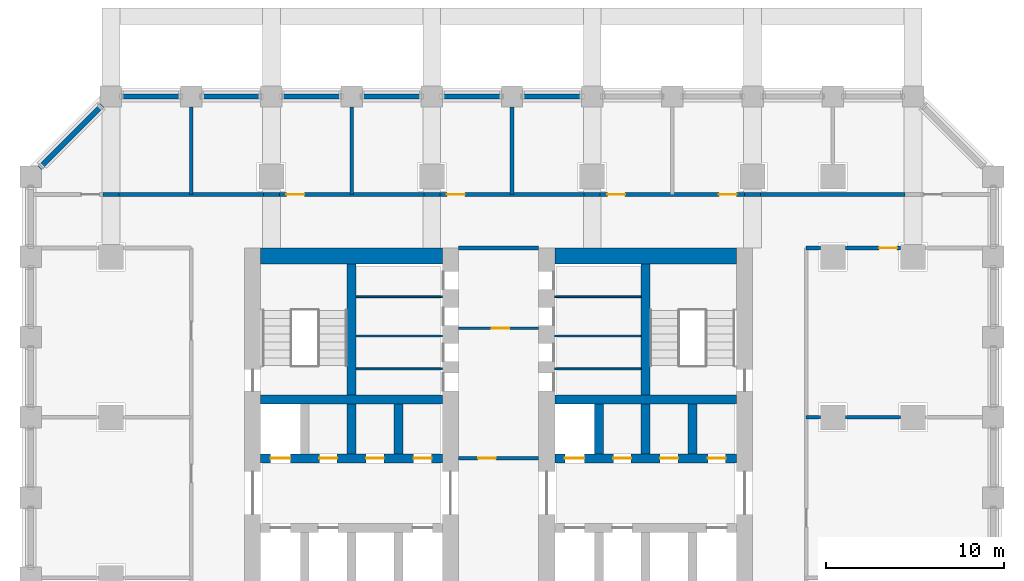
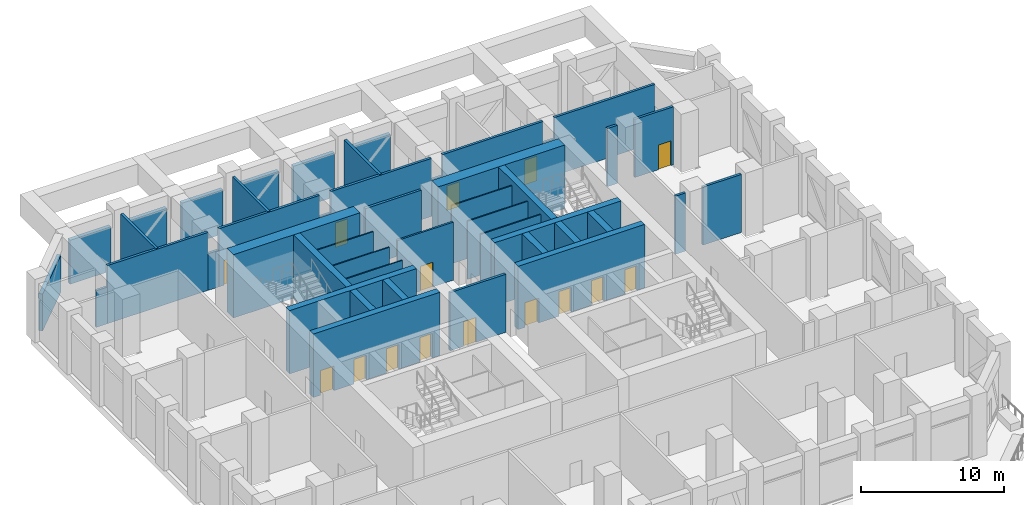
# One storey, part 6 of 20: 46 walls, 15 doors, 15 openings.
"""IFC4 building model written with IfcOpenShell, lengths in metres."""

from ifc_helpers import new_model, si_unit, direction, frame, frame_2d, origin, place, context, subcontext, project, spatial, rectangle, extrude, material, layer, layer_set, type_object, element, fill, save


model = new_model("IFC4")

# Units and contexts
model_context = context("Model", 3, precision=1e-05, world=origin(), true_north=direction((0.0, 1.0)))
body_context = subcontext(model_context, "Body", "Model", "MODEL_VIEW")
ifc_project = project(units=[si_unit("LENGTHUNIT", "METRE"), si_unit("AREAUNIT", "SQUARE_METRE"), si_unit("VOLUMEUNIT", "CUBIC_METRE"), si_unit("PLANEANGLEUNIT", "RADIAN"), si_unit("MASSUNIT", "GRAM", prefix="KILO")], contexts=[model_context])

# Site, building, storey
site_placement = place(None, origin())
site = spatial("IfcSite", under=ifc_project, at=site_placement, CompositionType="ELEMENT")
building_placement = place(site_placement, origin())
building = spatial("IfcBuilding", under=site, at=building_placement, Name="Corbel Stack Research Tower", CompositionType="ELEMENT")
storey_placement = place(building_placement, frame((0.0, 0.0, 76.60009765625)))
storey = spatial("IfcBuildingStorey", under=building, at=storey_placement, Name="L17", CompositionType="ELEMENT", Elevation=76.60009765625)

# Wall, openings, doors
ifc_material_1 = material(Name="Concrete C70/85", Category="concrete")
ifc_layer_1 = layer(ifc_material_1, 0.5)
ifc_layer_set_1 = layer_set([ifc_layer_1], Name="Concrete C70/85")
wall_type_1 = type_object("IfcWallType", Name="CW-500-70", PredefinedType="SHEAR", material=ifc_layer_set_1)
wall_1_placement = place(storey_placement, frame((-9.60009765625, 6.699951171875, 0.0), z_axis=(0.0, 0.0, 1.0), x_axis=(1.0, 0.0, 0.0)))
wall_1 = element("IfcWall", 1, at=wall_1_placement, inside=storey, type_object=wall_type_1, Name="West core wall, lobby north L17", PredefinedType="SHEAR", context=body_context, shape_type="SweptSolid", body=[
    extrude(rectangle(XDim=10.2001953125, YDim=0.5, at=frame_2d((5.10009765625, 0.0))), origin(), (0.0, 0.0, 1.0), 5.39990234375),
])
opening_1_placement = place(wall_1_placement, frame((0.5625, 0.0, 0.0)))
opening_1 = element("IfcOpeningElement", 2, at=opening_1_placement, cuts=wall_1, Name="Opening LD-LR2", PredefinedType="OPENING", context=body_context, shape_type="SweptSolid", body=[
    extrude(rectangle(XDim=1.10009765625, YDim=2.10009765625, at=frame_2d((0.550048828125, 1.050048828125))), frame((0.0, 0.260009765625, 0.0), z_axis=(0.0, -1.0, 0.0), x_axis=(1.0, 0.0, 0.0)), (0.0, 0.0, 1.0), 0.52001953125),
])
opening_2_placement = place(wall_1_placement, frame((3.28759765625, 0.0, 0.0)))
opening_2 = element("IfcOpeningElement", 3, at=opening_2_placement, cuts=wall_1, Name="Opening CR-W66-N2", PredefinedType="OPENING", context=body_context, shape_type="SweptSolid", body=[
    extrude(rectangle(XDim=1.0, YDim=2.10009765625, at=frame_2d((0.5, 1.050048828125))), frame((0.0, 0.260009765625, 0.0), z_axis=(0.0, -1.0, 0.0), x_axis=(1.0, 0.0, 0.0)), (0.0, 0.0, 1.0), 0.52001953125),
])
opening_3_placement = place(wall_1_placement, frame((5.91259765625, 0.0, 0.0)))
opening_3 = element("IfcOpeningElement", 4, at=opening_3_placement, cuts=wall_1, Name="Opening CR-W66-N3", PredefinedType="OPENING", context=body_context, shape_type="SweptSolid", body=[
    extrude(rectangle(XDim=1.0, YDim=2.10009765625, at=frame_2d((0.5, 1.050048828125))), frame((0.0, 0.260009765625, 0.0), z_axis=(0.0, -1.0, 0.0), x_axis=(1.0, 0.0, 0.0)), (0.0, 0.0, 1.0), 0.52001953125),
])
opening_4_placement = place(wall_1_placement, frame((8.58740234375, 0.0, 0.0)))
opening_4 = element("IfcOpeningElement", 5, at=opening_4_placement, cuts=wall_1, Name="Opening CR-W66-N4", PredefinedType="OPENING", context=body_context, shape_type="SweptSolid", body=[
    extrude(rectangle(XDim=1.0, YDim=2.10009765625, at=frame_2d((0.5, 1.050048828125))), frame((0.0, 0.260009765625, 0.0), z_axis=(0.0, -1.0, 0.0), x_axis=(1.0, 0.0, 0.0)), (0.0, 0.0, 1.0), 0.52001953125),
])
ifc_material_2 = material(Name="Stainless steel landing door", Category="steel")
door_type_1 = type_object("IfcDoorType", Name="Lift landing door 1100 x 2100", OperationType="DOUBLE_DOOR_SLIDING", PredefinedType="DOOR", material=ifc_material_2)
door_1_placement = place(opening_1_placement, origin())
door_1 = element("IfcDoor", 6, at=door_1_placement, inside=storey, type_object=door_type_1, Name="Landing door LR2", OperationType="DOUBLE_DOOR_SLIDING", OverallHeight=2.10009765625, OverallWidth=1.10009765625, PredefinedType="DOOR", context=body_context, shape_type="SweptSolid", body=[
    extrude(rectangle(XDim=1.10009765625, YDim=2.10009765625, at=frame_2d((0.550048828125, 1.050048828125))), frame((0.0, 0.02490234375, 0.0), z_axis=(0.0, -1.0, 0.0), x_axis=(1.0, 0.0, 0.0)), (0.0, 0.0, 1.0), 0.050048828125),
])
fill(opening_1, door_1)
ifc_material_3 = material(Name="Painted steel door", Category="steel")
door_type_2 = type_object("IfcDoorType", Name="Service door 1000 x 2100 FD60 left hand", OperationType="SINGLE_SWING_LEFT", PredefinedType="DOOR", material=ifc_material_3)
door_2_placement = place(opening_3_placement, origin())
door_2 = element("IfcDoor", 7, at=door_2_placement, inside=storey, type_object=door_type_2, Name="Staff WC door W core", OperationType="SINGLE_SWING_LEFT", OverallHeight=2.10009765625, OverallWidth=1.0, PredefinedType="DOOR", context=body_context, shape_type="SweptSolid", body=[
    extrude(rectangle(XDim=1.0, YDim=2.10009765625, at=frame_2d((0.5, 1.050048828125))), frame((0.0, 0.02490234375, 0.0), z_axis=(0.0, -1.0, 0.0), x_axis=(1.0, 0.0, 0.0)), (0.0, 0.0, 1.0), 0.050048828125),
])
fill(opening_3, door_2)
ifc_material_4 = material(Name="Painted steel door", Category="steel")
door_type_3 = type_object("IfcDoorType", Name="Service door 1000 x 2100 FD60 right hand", OperationType="SINGLE_SWING_RIGHT", PredefinedType="DOOR", material=ifc_material_4)
door_3_placement = place(opening_2_placement, origin())
door_3 = element("IfcDoor", 8, at=door_3_placement, inside=storey, type_object=door_type_3, Name="Pantry door W core", OperationType="SINGLE_SWING_RIGHT", OverallHeight=2.10009765625, OverallWidth=1.0, PredefinedType="DOOR", context=body_context, shape_type="SweptSolid", body=[
    extrude(rectangle(XDim=1.0, YDim=2.10009765625, at=frame_2d((0.5, 1.050048828125))), frame((0.0, 0.02490234375, 0.0), z_axis=(0.0, -1.0, 0.0), x_axis=(1.0, 0.0, 0.0)), (0.0, 0.0, 1.0), 0.050048828125),
])
fill(opening_2, door_3)
door_4_placement = place(opening_4_placement, origin())
door_4 = element("IfcDoor", 9, at=door_4_placement, inside=storey, type_object=door_type_3, Name="Laboratory consumables store door W core", OperationType="SINGLE_SWING_RIGHT", OverallHeight=2.10009765625, OverallWidth=1.0, PredefinedType="DOOR", context=body_context, shape_type="SweptSolid", body=[
    extrude(rectangle(XDim=1.0, YDim=2.10009765625, at=frame_2d((0.5, 1.050048828125))), frame((0.0, 0.02490234375, 0.0), z_axis=(0.0, -1.0, 0.0), x_axis=(1.0, 0.0, 0.0)), (0.0, 0.0, 1.0), 0.050048828125),
])
fill(opening_4, door_4)

# Walls
wall_2_placement = place(storey_placement, frame((-9.60009765625, 10.0, 0.0), z_axis=(0.0, 0.0, 1.0), x_axis=(1.0, 0.0, 0.0)))
element("IfcWall", 10, at=wall_2_placement, inside=storey, type_object=wall_type_1, Name="West core wall, north row back L17", PredefinedType="SHEAR", context=body_context, shape_type="SweptSolid", body=[
    extrude(rectangle(XDim=10.2001953125, YDim=0.5, at=frame_2d((5.10009765625, 0.0))), origin(), (0.0, 0.0, 1.0), 5.39990234375),
])
for number, where, z_axis, x_axis, name in (
    (11, (-4.5, 6.949951171875, 0.0), (0.0, 0.0, 1.0), (0.0, 1.0, 0.0), "West core wall, north shaft 2 L17"),
    (12, (-1.875, 6.949951171875, 0.0), (0.0, 0.0, 1.0), (0.0, 1.0, 0.0), "West core wall, north shaft 3 L17"),
):
    element("IfcWall", number, at=place(storey_placement, frame(where, z_axis=z_axis, x_axis=x_axis)), inside=storey, type_object=wall_type_1, Name=name, PredefinedType="SHEAR", context=body_context, shape_type="SweptSolid", body=[
        extrude(rectangle(XDim=2.800048828125, YDim=0.5, at=frame_2d((1.39990234375, 0.0))), origin(), (0.0, 0.0, 1.0), 5.39990234375),
    ])
wall_3_placement = place(storey_placement, frame((-4.5, 10.25, 0.0), z_axis=(0.0, 0.0, 1.0), x_axis=(0.0, 1.0, 0.0)))
element("IfcWall", 13, at=wall_3_placement, inside=storey, type_object=wall_type_1, Name="West core wall, north stair and riser L17", PredefinedType="SHEAR", context=body_context, shape_type="SweptSolid", body=[
    extrude(rectangle(XDim=7.35009765625, YDim=0.5, at=frame_2d((3.675048828125, 0.0))), origin(), (0.0, 0.0, 1.0), 5.39990234375),
])

# Wall, openings, doors
wall_4_placement = place(storey_placement, frame((6.89990234375, 6.699951171875, 0.0), z_axis=(0.0, 0.0, 1.0), x_axis=(1.0, 0.0, 0.0)))
wall_4 = element("IfcWall", 14, at=wall_4_placement, inside=storey, type_object=wall_type_1, Name="East core wall, lobby north L17", PredefinedType="SHEAR", context=body_context, shape_type="SweptSolid", body=[
    extrude(rectangle(XDim=10.2001953125, YDim=0.5, at=frame_2d((5.10009765625, 0.0))), origin(), (0.0, 0.0, 1.0), 5.39990234375),
])
opening_5_placement = place(wall_4_placement, frame((0.5625, 0.0, 0.0)))
opening_5 = element("IfcOpeningElement", 15, at=opening_5_placement, cuts=wall_4, Name="Opening LD-LR4", PredefinedType="OPENING", context=body_context, shape_type="SweptSolid", body=[
    extrude(rectangle(XDim=1.10009765625, YDim=2.10009765625, at=frame_2d((0.550048828125, 1.050048828125))), frame((0.0, 0.260009765625, 0.0), z_axis=(0.0, -1.0, 0.0), x_axis=(1.0, 0.0, 0.0)), (0.0, 0.0, 1.0), 0.52001953125),
])
opening_6_placement = place(wall_4_placement, frame((3.28759765625, 0.0, 0.0)))
opening_6 = element("IfcOpeningElement", 16, at=opening_6_placement, cuts=wall_4, Name="Opening CR-E66-N2", PredefinedType="OPENING", context=body_context, shape_type="SweptSolid", body=[
    extrude(rectangle(XDim=1.0, YDim=2.10009765625, at=frame_2d((0.5, 1.050048828125))), frame((0.0, 0.260009765625, 0.0), z_axis=(0.0, -1.0, 0.0), x_axis=(1.0, 0.0, 0.0)), (0.0, 0.0, 1.0), 0.52001953125),
])
opening_7_placement = place(wall_4_placement, frame((5.91259765625, 0.0, 0.0)))
opening_7 = element("IfcOpeningElement", 17, at=opening_7_placement, cuts=wall_4, Name="Opening CR-E66-N3", PredefinedType="OPENING", context=body_context, shape_type="SweptSolid", body=[
    extrude(rectangle(XDim=1.0, YDim=2.10009765625, at=frame_2d((0.5, 1.050048828125))), frame((0.0, 0.260009765625, 0.0), z_axis=(0.0, -1.0, 0.0), x_axis=(1.0, 0.0, 0.0)), (0.0, 0.0, 1.0), 0.52001953125),
])
opening_8_placement = place(wall_4_placement, frame((8.58740234375, 0.0, 0.0)))
opening_8 = element("IfcOpeningElement", 18, at=opening_8_placement, cuts=wall_4, Name="Opening CR-E66-N4", PredefinedType="OPENING", context=body_context, shape_type="SweptSolid", body=[
    extrude(rectangle(XDim=1.0, YDim=2.10009765625, at=frame_2d((0.5, 1.050048828125))), frame((0.0, 0.260009765625, 0.0), z_axis=(0.0, -1.0, 0.0), x_axis=(1.0, 0.0, 0.0)), (0.0, 0.0, 1.0), 0.52001953125),
])
door_5_placement = place(opening_5_placement, origin())
door_5 = element("IfcDoor", 19, at=door_5_placement, inside=storey, type_object=door_type_1, Name="Landing door LR4", OperationType="DOUBLE_DOOR_SLIDING", OverallHeight=2.10009765625, OverallWidth=1.10009765625, PredefinedType="DOOR", context=body_context, shape_type="SweptSolid", body=[
    extrude(rectangle(XDim=1.10009765625, YDim=2.10009765625, at=frame_2d((0.550048828125, 1.050048828125))), frame((0.0, 0.02490234375, 0.0), z_axis=(0.0, -1.0, 0.0), x_axis=(1.0, 0.0, 0.0)), (0.0, 0.0, 1.0), 0.050048828125),
])
fill(opening_5, door_5)
door_6_placement = place(opening_7_placement, origin())
door_6 = element("IfcDoor", 20, at=door_6_placement, inside=storey, type_object=door_type_2, Name="Records store door E core", OperationType="SINGLE_SWING_LEFT", OverallHeight=2.10009765625, OverallWidth=1.0, PredefinedType="DOOR", context=body_context, shape_type="SweptSolid", body=[
    extrude(rectangle(XDim=1.0, YDim=2.10009765625, at=frame_2d((0.5, 1.050048828125))), frame((0.0, 0.02490234375, 0.0), z_axis=(0.0, -1.0, 0.0), x_axis=(1.0, 0.0, 0.0)), (0.0, 0.0, 1.0), 0.050048828125),
])
fill(opening_7, door_6)
door_7_placement = place(opening_6_placement, origin())
door_7 = element("IfcDoor", 21, at=door_7_placement, inside=storey, type_object=door_type_3, Name="Copy and supply store door E core", OperationType="SINGLE_SWING_RIGHT", OverallHeight=2.10009765625, OverallWidth=1.0, PredefinedType="DOOR", context=body_context, shape_type="SweptSolid", body=[
    extrude(rectangle(XDim=1.0, YDim=2.10009765625, at=frame_2d((0.5, 1.050048828125))), frame((0.0, 0.02490234375, 0.0), z_axis=(0.0, -1.0, 0.0), x_axis=(1.0, 0.0, 0.0)), (0.0, 0.0, 1.0), 0.050048828125),
])
fill(opening_6, door_7)
door_8_placement = place(opening_8_placement, origin())
door_8 = element("IfcDoor", 22, at=door_8_placement, inside=storey, type_object=door_type_3, Name="Electrical switch room door E core", OperationType="SINGLE_SWING_RIGHT", OverallHeight=2.10009765625, OverallWidth=1.0, PredefinedType="DOOR", context=body_context, shape_type="SweptSolid", body=[
    extrude(rectangle(XDim=1.0, YDim=2.10009765625, at=frame_2d((0.5, 1.050048828125))), frame((0.0, 0.02490234375, 0.0), z_axis=(0.0, -1.0, 0.0), x_axis=(1.0, 0.0, 0.0)), (0.0, 0.0, 1.0), 0.050048828125),
])
fill(opening_8, door_8)

# Walls
wall_5_placement = place(storey_placement, frame((6.89990234375, 10.0, 0.0), z_axis=(0.0, 0.0, 1.0), x_axis=(1.0, 0.0, 0.0)))
element("IfcWall", 23, at=wall_5_placement, inside=storey, type_object=wall_type_1, Name="East core wall, north row back L17", PredefinedType="SHEAR", context=body_context, shape_type="SweptSolid", body=[
    extrude(rectangle(XDim=10.2001953125, YDim=0.5, at=frame_2d((5.10009765625, 0.0))), origin(), (0.0, 0.0, 1.0), 5.39990234375),
])
for number, where, z_axis, x_axis, name in (
    (24, (9.375, 6.949951171875, 0.0), (0.0, 0.0, 1.0), (0.0, 1.0, 0.0), "East core wall, north shaft 1 L17"),
    (25, (12.0, 6.949951171875, 0.0), (0.0, 0.0, 1.0), (0.0, 1.0, 0.0), "East core wall, north shaft 2 L17"),
    (26, (14.625, 6.949951171875, 0.0), (0.0, 0.0, 1.0), (0.0, 1.0, 0.0), "East core wall, north shaft 3 L17"),
):
    element("IfcWall", number, at=place(storey_placement, frame(where, z_axis=z_axis, x_axis=x_axis)), inside=storey, type_object=wall_type_1, Name=name, PredefinedType="SHEAR", context=body_context, shape_type="SweptSolid", body=[
        extrude(rectangle(XDim=2.800048828125, YDim=0.5, at=frame_2d((1.39990234375, 0.0))), origin(), (0.0, 0.0, 1.0), 5.39990234375),
    ])
wall_6_placement = place(storey_placement, frame((12.0, 10.25, 0.0), z_axis=(0.0, 0.0, 1.0), x_axis=(0.0, 1.0, 0.0)))
element("IfcWall", 27, at=wall_6_placement, inside=storey, type_object=wall_type_1, Name="East core wall, north stair and riser L17", PredefinedType="SHEAR", context=body_context, shape_type="SweptSolid", body=[
    extrude(rectangle(XDim=7.35009765625, YDim=0.5, at=frame_2d((3.675048828125, 0.0))), origin(), (0.0, 0.0, 1.0), 5.39990234375),
])
ifc_material_5 = material(Name="Concrete C70/85", Category="concrete")
ifc_layer_2 = layer(ifc_material_5, 0.89990234375)
ifc_layer_set_2 = layer_set([ifc_layer_2], Name="Concrete C70/85")
wall_type_2 = type_object("IfcWallType", Name="CW-900-70", PredefinedType="SHEAR", material=ifc_layer_set_2)
for number, where, z_axis, x_axis, name in (
    (28, (-9.60009765625, 18.050048828125, 0.0), (0.0, 0.0, 1.0), (1.0, 0.0, 0.0), "West core wall, north end L17"),
    (29, (6.89990234375, 18.050048828125, 0.0), (0.0, 0.0, 1.0), (1.0, 0.0, 0.0), "East core wall, north end L17"),
):
    element("IfcWall", number, at=place(storey_placement, frame(where, z_axis=z_axis, x_axis=x_axis)), inside=storey, type_object=wall_type_2, Name=name, PredefinedType="SHEAR", context=body_context, shape_type="SweptSolid", body=[
        extrude(rectangle(XDim=10.2001953125, YDim=0.89990234375, at=frame_2d((5.10009765625, 0.0))), origin(), (0.0, 0.0, 1.0), 5.39990234375),
    ])
ifc_material_6 = material(Name="Gypsum board")
ifc_layer_3 = layer(ifc_material_6, 0.10009765625)
ifc_layer_set_3 = layer_set([ifc_layer_3], Name="Gypsum board")
wall_type_3 = type_object("IfcWallType", Name="Core partition 100", PredefinedType="PARTITIONING", material=ifc_layer_set_3)
for number, where, z_axis, x_axis, name in (
    (30, (-4.25, 11.719970703125, 0.0), (0.0, 0.0, 1.0), (1.0, 0.0, 0.0), "Core partition W"),
    (31, (-4.25, 13.5576171875, 0.0), (0.0, 0.0, 1.0), (1.0, 0.0, 0.0), "Core partition W"),
    (32, (-4.25, 15.762451171875, 0.0), (0.0, 0.0, 1.0), (1.0, 0.0, 0.0), "Core partition W"),
    (33, (6.89990234375, 11.719970703125, 0.0), (0.0, 0.0, 1.0), (1.0, 0.0, 0.0), "Core partition E"),
    (34, (6.89990234375, 13.5576171875, 0.0), (0.0, 0.0, 1.0), (1.0, 0.0, 0.0), "Core partition E"),
    (35, (6.89990234375, 15.762451171875, 0.0), (0.0, 0.0, 1.0), (1.0, 0.0, 0.0), "Core partition E"),
):
    element("IfcWall", number, at=place(storey_placement, frame(where, z_axis=z_axis, x_axis=x_axis)), inside=storey, type_object=wall_type_3, Name=name, PredefinedType="PARTITIONING", context=body_context, shape_type="SweptSolid", body=[
        extrude(rectangle(XDim=4.85009765625, YDim=0.10009765625, at=frame_2d((2.425048828125, 0.0))), origin(), (0.0, 0.0, 1.0), 4.949951171875),
    ])
ifc_material_7 = material(Name="Fire-rated gypsum board partition on steel studs", Category="steel")
ifc_layer_4 = layer(ifc_material_7, 0.199951171875)
ifc_layer_set_4 = layer_set([ifc_layer_4], Name="Fire-rated gypsum board partition on steel studs")
wall_type_4 = type_object("IfcWallType", Name="Fire-rated partition 200 EI 60", PredefinedType="PARTITIONING", material=ifc_layer_set_4)
for number, where, z_axis, x_axis, name in (
    (36, (-13.5, 21.5, 0.0), (0.0, 0.0, 1.0), (0.0, 1.0, 0.0), "Partition L17-003"),
    (37, (-4.5, 21.5, 0.0), (0.0, 0.0, 1.0), (0.0, 1.0, 0.0), "Partition L17-005"),
    (38, (4.5, 21.5, 0.0), (0.0, 0.0, 1.0), (0.0, 1.0, 0.0), "Partition L17-007"),
):
    element("IfcWall", number, at=place(storey_placement, frame(where, z_axis=z_axis, x_axis=x_axis)), inside=storey, type_object=wall_type_4, Name=name, PredefinedType="PARTITIONING", context=body_context, shape_type="SweptSolid", body=[
        extrude(rectangle(XDim=4.89990234375, YDim=0.199951171875, at=frame_2d((2.449951171875, 0.0))), origin(), (0.0, 0.0, 1.0), 4.949951171875),
    ])

# Wall, opening, door
wall_7_placement = place(storey_placement, frame((1.5, 6.699951171875, 0.0), z_axis=(0.0, 0.0, 1.0), x_axis=(1.0, 0.0, 0.0)))
wall_7 = element("IfcWall", 39, at=wall_7_placement, inside=storey, type_object=wall_type_4, Name="Partition L17-026", PredefinedType="PARTITIONING", context=body_context, shape_type="SweptSolid", body=[
    extrude(rectangle(XDim=4.5, YDim=0.199951171875, at=frame_2d((2.25, 0.0))), origin(), (0.0, 0.0, 1.0), 4.949951171875),
])
opening_9_placement = place(wall_7_placement, frame((1.10009765625, 0.0, 0.0)))
opening_9 = element("IfcOpeningElement", 40, at=opening_9_placement, cuts=wall_7, Name="Opening PLANTL17-012", PredefinedType="OPENING", context=body_context, shape_type="SweptSolid", body=[
    extrude(rectangle(XDim=1.0, YDim=2.10009765625, at=frame_2d((0.5, 1.050048828125))), frame((0.0, 0.10986328125, 0.0), z_axis=(0.0, -1.0, 0.0), x_axis=(1.0, 0.0, 0.0)), (0.0, 0.0, 1.0), 0.219970703125),
])
ifc_material_8 = material(Name="Painted steel fire door", Category="steel")
door_type_4 = type_object("IfcDoorType", Name="Fire door FD30S 1000 x 2100", OperationType="NOTDEFINED", PredefinedType="DOOR", material=ifc_material_8)
door_9_placement = place(opening_9_placement, origin())
door_9 = element("IfcDoor", 41, at=door_9_placement, inside=storey, type_object=door_type_4, Name="Door PLANTL17-012", OperationType="SINGLE_SWING_LEFT", OverallHeight=2.10009765625, OverallWidth=1.0, PredefinedType="DOOR", context=body_context, shape_type="SweptSolid", body=[
    extrude(rectangle(XDim=1.0, YDim=2.10009765625, at=frame_2d((0.5, 1.050048828125))), frame((0.0, 0.02490234375, 0.0), z_axis=(0.0, -1.0, 0.0), x_axis=(1.0, 0.0, 0.0)), (0.0, 0.0, 1.0), 0.050048828125),
])
fill(opening_9, door_9)

# Walls
wall_8_placement = place(storey_placement, frame((21.0, 9.0, 0.0), z_axis=(0.0, 0.0, 1.0), x_axis=(1.0, 0.0, 0.0)))
element("IfcWall", 42, at=wall_8_placement, inside=storey, type_object=wall_type_4, Name="Partition L17-029", PredefinedType="PARTITIONING", context=body_context, shape_type="SweptSolid", body=[
    extrude(rectangle(XDim=0.800048828125, YDim=0.199951171875, at=frame_2d((0.39990234375, 0.0))), origin(), (0.0, 0.0, 1.0), 4.949951171875),
])
wall_9_placement = place(storey_placement, frame((23.199951171875, 9.0, 0.0), z_axis=(0.0, 0.0, 1.0), x_axis=(1.0, 0.0, 0.0)))
element("IfcWall", 43, at=wall_9_placement, inside=storey, type_object=wall_type_4, Name="Partition L17-030", PredefinedType="PARTITIONING", context=body_context, shape_type="SweptSolid", body=[
    extrude(rectangle(XDim=3.10009765625, YDim=0.199951171875, at=frame_2d((1.550048828125, 0.0))), origin(), (0.0, 0.0, 1.0), 4.949951171875),
])
wall_10_placement = place(storey_placement, frame((1.5, 18.5, 0.0), z_axis=(0.0, 0.0, 1.0), x_axis=(1.0, 0.0, 0.0)))
element("IfcWall", 44, at=wall_10_placement, inside=storey, type_object=wall_type_4, Name="Partition L17-035", PredefinedType="PARTITIONING", context=body_context, shape_type="SweptSolid", body=[
    extrude(rectangle(XDim=4.5, YDim=0.199951171875, at=frame_2d((2.25, 0.0))), origin(), (0.0, 0.0, 1.0), 4.949951171875),
])
wall_11_placement = place(storey_placement, frame((21.0, 18.5, 0.0), z_axis=(0.0, 0.0, 1.0), x_axis=(1.0, 0.0, 0.0)))
element("IfcWall", 45, at=wall_11_placement, inside=storey, type_object=wall_type_4, Name="Partition L17-036", PredefinedType="PARTITIONING", context=body_context, shape_type="SweptSolid", body=[
    extrude(rectangle(XDim=0.800048828125, YDim=0.199951171875, at=frame_2d((0.39990234375, 0.0))), origin(), (0.0, 0.0, 1.0), 4.949951171875),
])

# Wall, opening, door
wall_12_placement = place(storey_placement, frame((26.300048828125, 18.5, 0.0), z_axis=(0.0, 0.0, 1.0), x_axis=(-1.0, 0.0, 0.0)))
wall_12 = element("IfcWall", 46, at=wall_12_placement, inside=storey, type_object=wall_type_4, Name="Partition L17-037", PredefinedType="PARTITIONING", context=body_context, shape_type="SweptSolid", body=[
    extrude(rectangle(XDim=3.10009765625, YDim=0.199951171875, at=frame_2d((1.550048828125, 0.0))), origin(), (0.0, 0.0, 1.0), 4.949951171875),
])
opening_10_placement = place(wall_12_placement, frame((0.199951171875, 0.0, 0.0)))
opening_10 = element("IfcOpeningElement", 47, at=opening_10_placement, cuts=wall_12, Name="Opening PLANTL17-014", PredefinedType="OPENING", context=body_context, shape_type="SweptSolid", body=[
    extrude(rectangle(XDim=1.0, YDim=2.10009765625, at=frame_2d((0.5, 1.050048828125))), frame((0.0, 0.10986328125, 0.0), z_axis=(0.0, -1.0, 0.0), x_axis=(1.0, 0.0, 0.0)), (0.0, 0.0, 1.0), 0.219970703125),
])
door_10_placement = place(opening_10_placement, origin())
door_10 = element("IfcDoor", 48, at=door_10_placement, inside=storey, type_object=door_type_4, Name="Door PLANTL17-014", OperationType="SINGLE_SWING_LEFT", OverallHeight=2.10009765625, OverallWidth=1.0, PredefinedType="DOOR", context=body_context, shape_type="SweptSolid", body=[
    extrude(rectangle(XDim=1.0, YDim=2.10009765625, at=frame_2d((0.5, 1.050048828125))), frame((0.0, 0.02490234375, 0.0), z_axis=(0.0, -1.0, 0.0), x_axis=(1.0, 0.0, 0.0)), (0.0, 0.0, 1.0), 0.050048828125),
])
fill(opening_10, door_10)

# Walls
wall_13_placement = place(storey_placement, frame((-18.449951171875, 21.5, 0.0), z_axis=(0.0, 0.0, 1.0), x_axis=(1.0, 0.0, 0.0)))
element("IfcWall", 49, at=wall_13_placement, inside=storey, type_object=wall_type_4, Name="Partition L17-040", PredefinedType="PARTITIONING", context=body_context, shape_type="SweptSolid", body=[
    extrude(rectangle(XDim=0.89990234375, YDim=0.199951171875, at=frame_2d((0.449951171875, 0.0))), origin(), (0.0, 0.0, 1.0), 3.119873046875),
])
wall_14_placement = place(storey_placement, frame((-17.550048828125, 21.5, 0.0), z_axis=(0.0, 0.0, 1.0), x_axis=(1.0, 0.0, 0.0)))
element("IfcWall", 50, at=wall_14_placement, inside=storey, type_object=wall_type_4, Name="Partition L17-041", PredefinedType="PARTITIONING", context=body_context, shape_type="SweptSolid", body=[
    extrude(rectangle(XDim=8.10009765625, YDim=0.199951171875, at=frame_2d((4.050048828125, 0.0))), origin(), (0.0, 0.0, 1.0), 4.949951171875),
])
wall_15_placement = place(storey_placement, frame((-9.449951171875, 21.5, 0.0), z_axis=(0.0, 0.0, 1.0), x_axis=(1.0, 0.0, 0.0)))
element("IfcWall", 51, at=wall_15_placement, inside=storey, type_object=wall_type_4, Name="Partition L17-042", PredefinedType="PARTITIONING", context=body_context, shape_type="SweptSolid", body=[
    extrude(rectangle(XDim=0.89990234375, YDim=0.199951171875, at=frame_2d((0.449951171875, 0.0))), origin(), (0.0, 0.0, 1.0), 3.119873046875),
])

# Wall, opening, door
wall_16_placement = place(storey_placement, frame((-8.550048828125, 21.5, 0.0), z_axis=(0.0, 0.0, 1.0), x_axis=(1.0, 0.0, 0.0)))
wall_16 = element("IfcWall", 52, at=wall_16_placement, inside=storey, type_object=wall_type_4, Name="Partition L17-043", PredefinedType="PARTITIONING", context=body_context, shape_type="SweptSolid", body=[
    extrude(rectangle(XDim=8.10009765625, YDim=0.199951171875, at=frame_2d((4.050048828125, 0.0))), origin(), (0.0, 0.0, 1.0), 4.949951171875),
])
opening_11_placement = place(wall_16_placement, frame((0.39990234375, 0.0, 0.0)))
opening_11 = element("IfcOpeningElement", 53, at=opening_11_placement, cuts=wall_16, Name="Opening PLANTL17-017", PredefinedType="OPENING", context=body_context, shape_type="SweptSolid", body=[
    extrude(rectangle(XDim=1.0, YDim=2.10009765625, at=frame_2d((0.5, 1.050048828125))), frame((0.0, 0.10986328125, 0.0), z_axis=(0.0, -1.0, 0.0), x_axis=(1.0, 0.0, 0.0)), (0.0, 0.0, 1.0), 0.219970703125),
])
door_11_placement = place(opening_11_placement, origin())
door_11 = element("IfcDoor", 54, at=door_11_placement, inside=storey, type_object=door_type_4, Name="Door PLANTL17-017", OperationType="SINGLE_SWING_LEFT", OverallHeight=2.10009765625, OverallWidth=1.0, PredefinedType="DOOR", context=body_context, shape_type="SweptSolid", body=[
    extrude(rectangle(XDim=1.0, YDim=2.10009765625, at=frame_2d((0.5, 1.050048828125))), frame((0.0, 0.02490234375, 0.0), z_axis=(0.0, -1.0, 0.0), x_axis=(1.0, 0.0, 0.0)), (0.0, 0.0, 1.0), 0.050048828125),
])
fill(opening_11, door_11)

# Wall
wall_17_placement = place(storey_placement, frame((-0.449951171875, 21.5, 0.0), z_axis=(0.0, 0.0, 1.0), x_axis=(1.0, 0.0, 0.0)))
element("IfcWall", 55, at=wall_17_placement, inside=storey, type_object=wall_type_4, Name="Partition L17-044", PredefinedType="PARTITIONING", context=body_context, shape_type="SweptSolid", body=[
    extrude(rectangle(XDim=0.89990234375, YDim=0.199951171875, at=frame_2d((0.449951171875, 0.0))), origin(), (0.0, 0.0, 1.0), 3.119873046875),
])

# Wall, opening, door
wall_18_placement = place(storey_placement, frame((0.449951171875, 21.5, 0.0), z_axis=(0.0, 0.0, 1.0), x_axis=(1.0, 0.0, 0.0)))
wall_18 = element("IfcWall", 56, at=wall_18_placement, inside=storey, type_object=wall_type_4, Name="Partition L17-045", PredefinedType="PARTITIONING", context=body_context, shape_type="SweptSolid", body=[
    extrude(rectangle(XDim=8.10009765625, YDim=0.199951171875, at=frame_2d((4.050048828125, 0.0))), origin(), (0.0, 0.0, 1.0), 4.949951171875),
])
opening_12_placement = place(wall_18_placement, frame((0.39990234375, 0.0, 0.0)))
opening_12 = element("IfcOpeningElement", 57, at=opening_12_placement, cuts=wall_18, Name="Opening PLANTL17-018", PredefinedType="OPENING", context=body_context, shape_type="SweptSolid", body=[
    extrude(rectangle(XDim=1.0, YDim=2.10009765625, at=frame_2d((0.5, 1.050048828125))), frame((0.0, 0.10986328125, 0.0), z_axis=(0.0, -1.0, 0.0), x_axis=(1.0, 0.0, 0.0)), (0.0, 0.0, 1.0), 0.219970703125),
])
door_12_placement = place(opening_12_placement, origin())
door_12 = element("IfcDoor", 58, at=door_12_placement, inside=storey, type_object=door_type_4, Name="Door PLANTL17-018", OperationType="SINGLE_SWING_LEFT", OverallHeight=2.10009765625, OverallWidth=1.0, PredefinedType="DOOR", context=body_context, shape_type="SweptSolid", body=[
    extrude(rectangle(XDim=1.0, YDim=2.10009765625, at=frame_2d((0.5, 1.050048828125))), frame((0.0, 0.02490234375, 0.0), z_axis=(0.0, -1.0, 0.0), x_axis=(1.0, 0.0, 0.0)), (0.0, 0.0, 1.0), 0.050048828125),
])
fill(opening_12, door_12)

# Wall
wall_19_placement = place(storey_placement, frame((8.550048828125, 21.5, 0.0), z_axis=(0.0, 0.0, 1.0), x_axis=(1.0, 0.0, 0.0)))
element("IfcWall", 59, at=wall_19_placement, inside=storey, type_object=wall_type_4, Name="Partition L17-046", PredefinedType="PARTITIONING", context=body_context, shape_type="SweptSolid", body=[
    extrude(rectangle(XDim=0.89990234375, YDim=0.199951171875, at=frame_2d((0.449951171875, 0.0))), origin(), (0.0, 0.0, 1.0), 3.119873046875),
])

# Wall, openings, doors
wall_20_placement = place(storey_placement, frame((9.449951171875, 21.5, 0.0), z_axis=(0.0, 0.0, 1.0), x_axis=(1.0, 0.0, 0.0)))
wall_20 = element("IfcWall", 60, at=wall_20_placement, inside=storey, type_object=wall_type_4, Name="Partition L17-047", PredefinedType="PARTITIONING", context=body_context, shape_type="SweptSolid", body=[
    extrude(rectangle(XDim=8.10009765625, YDim=0.199951171875, at=frame_2d((4.050048828125, 0.0))), origin(), (0.0, 0.0, 1.0), 4.949951171875),
])
opening_13_placement = place(wall_20_placement, frame((0.39990234375, 0.0, 0.0)))
opening_13 = element("IfcOpeningElement", 61, at=opening_13_placement, cuts=wall_20, Name="Opening PLANTL17-019", PredefinedType="OPENING", context=body_context, shape_type="SweptSolid", body=[
    extrude(rectangle(XDim=1.0, YDim=2.10009765625, at=frame_2d((0.5, 1.050048828125))), frame((0.0, 0.10986328125, 0.0), z_axis=(0.0, -1.0, 0.0), x_axis=(1.0, 0.0, 0.0)), (0.0, 0.0, 1.0), 0.219970703125),
])
opening_14_placement = place(wall_20_placement, frame((6.64990234375, 0.0, 0.0)))
opening_14 = element("IfcOpeningElement", 62, at=opening_14_placement, cuts=wall_20, Name="Opening PLANTL17-020", PredefinedType="OPENING", context=body_context, shape_type="SweptSolid", body=[
    extrude(rectangle(XDim=1.0, YDim=2.10009765625, at=frame_2d((0.5, 1.050048828125))), frame((0.0, 0.10986328125, 0.0), z_axis=(0.0, -1.0, 0.0), x_axis=(1.0, 0.0, 0.0)), (0.0, 0.0, 1.0), 0.219970703125),
])
door_13_placement = place(opening_13_placement, origin())
door_13 = element("IfcDoor", 63, at=door_13_placement, inside=storey, type_object=door_type_4, Name="Door PLANTL17-019", OperationType="SINGLE_SWING_LEFT", OverallHeight=2.10009765625, OverallWidth=1.0, PredefinedType="DOOR", context=body_context, shape_type="SweptSolid", body=[
    extrude(rectangle(XDim=1.0, YDim=2.10009765625, at=frame_2d((0.5, 1.050048828125))), frame((0.0, 0.02490234375, 0.0), z_axis=(0.0, -1.0, 0.0), x_axis=(1.0, 0.0, 0.0)), (0.0, 0.0, 1.0), 0.050048828125),
])
fill(opening_13, door_13)
door_14_placement = place(opening_14_placement, origin())
door_14 = element("IfcDoor", 64, at=door_14_placement, inside=storey, type_object=door_type_4, Name="Door PLANTL17-020", OperationType="SINGLE_SWING_RIGHT", OverallHeight=2.10009765625, OverallWidth=1.0, PredefinedType="DOOR", context=body_context, shape_type="SweptSolid", body=[
    extrude(rectangle(XDim=1.0, YDim=2.10009765625, at=frame_2d((0.5, 1.050048828125))), frame((0.0, 0.02490234375, 0.0), z_axis=(0.0, -1.0, 0.0), x_axis=(1.0, 0.0, 0.0)), (0.0, 0.0, 1.0), 0.050048828125),
])
fill(opening_14, door_14)

# Walls
wall_21_placement = place(storey_placement, frame((17.550048828125, 21.5, 0.0), z_axis=(0.0, 0.0, 1.0), x_axis=(1.0, 0.0, 0.0)))
element("IfcWall", 65, at=wall_21_placement, inside=storey, type_object=wall_type_4, Name="Partition L17-048", PredefinedType="PARTITIONING", context=body_context, shape_type="SweptSolid", body=[
    extrude(rectangle(XDim=0.89990234375, YDim=0.199951171875, at=frame_2d((0.449951171875, 0.0))), origin(), (0.0, 0.0, 1.0), 3.119873046875),
])
wall_22_placement = place(storey_placement, frame((18.449951171875, 21.5, 0.0), z_axis=(0.0, 0.0, 1.0), x_axis=(1.0, 0.0, 0.0)))
element("IfcWall", 66, at=wall_22_placement, inside=storey, type_object=wall_type_4, Name="Partition L17-049", PredefinedType="PARTITIONING", context=body_context, shape_type="SweptSolid", body=[
    extrude(rectangle(XDim=8.10009765625, YDim=0.199951171875, at=frame_2d((4.050048828125, 0.0))), origin(), (0.0, 0.0, 1.0), 4.949951171875),
])

# Wall, opening, door
ifc_material_9 = material(Name="Gypsum board partition on steel studs", Category="steel")
ifc_layer_5 = layer(ifc_material_9, 0.14990234375)
ifc_layer_set_5 = layer_set([ifc_layer_5], Name="Gypsum board partition on steel studs")
wall_type_5 = type_object("IfcWallType", Name="Partition 150", PredefinedType="PARTITIONING", material=ifc_layer_set_5)
wall_23_placement = place(storey_placement, frame((1.5, 14.0, 0.0), z_axis=(0.0, 0.0, 1.0), x_axis=(1.0, 0.0, 0.0)))
wall_23 = element("IfcWall", 67, at=wall_23_placement, inside=storey, type_object=wall_type_5, Name="Partition L17-032", PredefinedType="PARTITIONING", context=body_context, shape_type="SweptSolid", body=[
    extrude(rectangle(XDim=4.5, YDim=0.14990234375, at=frame_2d((2.25, 0.0))), origin(), (0.0, 0.0, 1.0), 4.949951171875),
])
opening_15_placement = place(wall_23_placement, frame((1.85009765625, 0.0, 0.0)))
opening_15 = element("IfcOpeningElement", 68, at=opening_15_placement, cuts=wall_23, Name="Opening PLANTL17-013", PredefinedType="OPENING", context=body_context, shape_type="SweptSolid", body=[
    extrude(rectangle(XDim=1.0, YDim=2.10009765625, at=frame_2d((0.5, 1.050048828125))), frame((0.0, 0.0849609375, 0.0), z_axis=(0.0, -1.0, 0.0), x_axis=(1.0, 0.0, 0.0)), (0.0, 0.0, 1.0), 0.169921875),
])
ifc_material_10 = material(Name="Painted timber door", Category="wood")
door_type_5 = type_object("IfcDoorType", Name="Single door 1000 x 2100", OperationType="NOTDEFINED", PredefinedType="DOOR", material=ifc_material_10)
door_15_placement = place(opening_15_placement, origin())
door_15 = element("IfcDoor", 69, at=door_15_placement, inside=storey, type_object=door_type_5, Name="Door PLANTL17-013", OperationType="SINGLE_SWING_RIGHT", OverallHeight=2.10009765625, OverallWidth=1.0, PredefinedType="DOOR", context=body_context, shape_type="SweptSolid", body=[
    extrude(rectangle(XDim=1.0, YDim=2.10009765625, at=frame_2d((0.5, 1.050048828125))), frame((0.0, 0.02490234375, 0.0), z_axis=(0.0, -1.0, 0.0), x_axis=(1.0, 0.0, 0.0)), (0.0, 0.0, 1.0), 0.050048828125),
])
fill(opening_15, door_15)

# Walls
ifc_material_11 = material(Name="Concrete C45/55", Category="concrete")
ifc_layer_6 = layer(ifc_material_11, 0.300048828125)
ifc_layer_set_6 = layer_set([ifc_layer_6], Name="Concrete C45/55")
wall_type_6 = type_object("IfcWallType", Name="Terracotta-faced concrete wall 300", PredefinedType="SOLIDWALL", material=ifc_layer_set_6)
for number, where, z_axis, x_axis, name in (
    (70, (5.10009765625, 27.0, 0.0), (0.0, 0.0, 1.0), (1.0, 0.0, 0.0), "Facade wall L17 N05"),
    (71, (0.60009765625, 27.0, 0.0), (0.0, 0.0, 1.0), (1.0, 0.0, 0.0), "Facade wall L17 N06"),
    (72, (-3.89990234375, 27.0, 0.0), (0.0, 0.0, 1.0), (1.0, 0.0, 0.0), "Facade wall L17 N07"),
    (73, (-8.39990234375, 27.0, 0.0), (0.0, 0.0, 1.0), (1.0, 0.0, 0.0), "Facade wall L17 N08"),
    (74, (-12.89990234375, 27.0, 0.0), (0.0, 0.0, 1.0), (1.0, 0.0, 0.0), "Facade wall L17 N09"),
    (75, (-17.39990234375, 27.0, 0.0), (0.0, 0.0, 1.0), (1.0, 0.0, 0.0), "Facade wall L17 N10"),
):
    element("IfcWall", number, at=place(storey_placement, frame(where, z_axis=z_axis, x_axis=x_axis)), inside=storey, type_object=wall_type_6, Name=name, PredefinedType="SOLIDWALL", context=body_context, shape_type="SweptSolid", body=[
        extrude(rectangle(XDim=3.2998046875, YDim=0.300048828125, at=frame_2d((1.64990234375, 0.0))), origin(), (0.0, 0.0, 1.0), 3.75),
    ])
wall_24_placement = place(storey_placement, frame((-22.006103515625, 22.993896484375, 0.0), z_axis=(0.0, 0.0, 1.0), x_axis=(0.707106781187, 0.707106781187, 0.0)))
element("IfcWall", 76, at=wall_24_placement, inside=storey, type_object=wall_type_6, Name="Facade wall L17 NW01", PredefinedType="SOLIDWALL", context=body_context, shape_type="SweptSolid", body=[
    extrude(rectangle(XDim=4.967041015625, YDim=0.300048828125, at=frame_2d((2.4833984375, 0.0))), origin(), (0.0, 0.0, 1.0), 3.14990234375),
])

save(model, "model.ifc")
